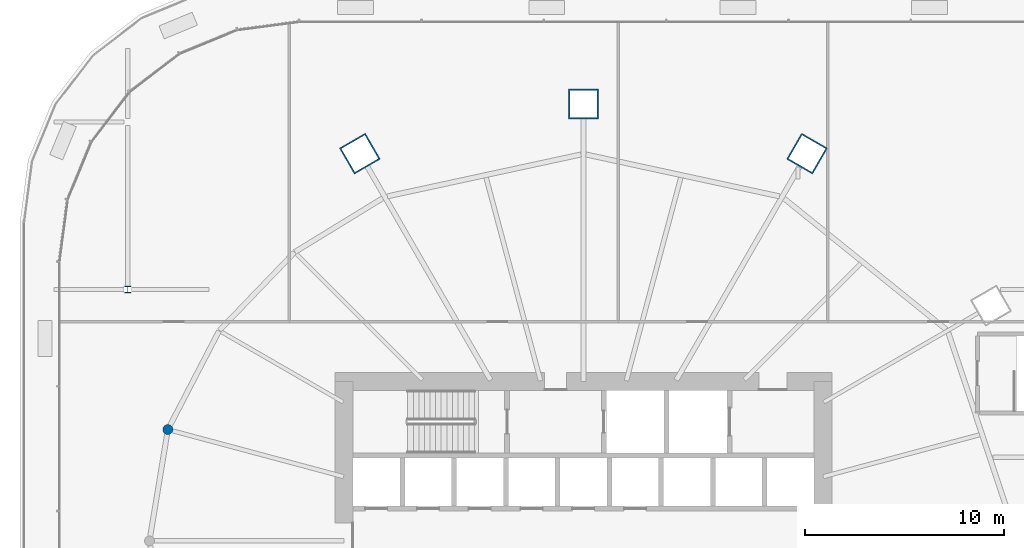
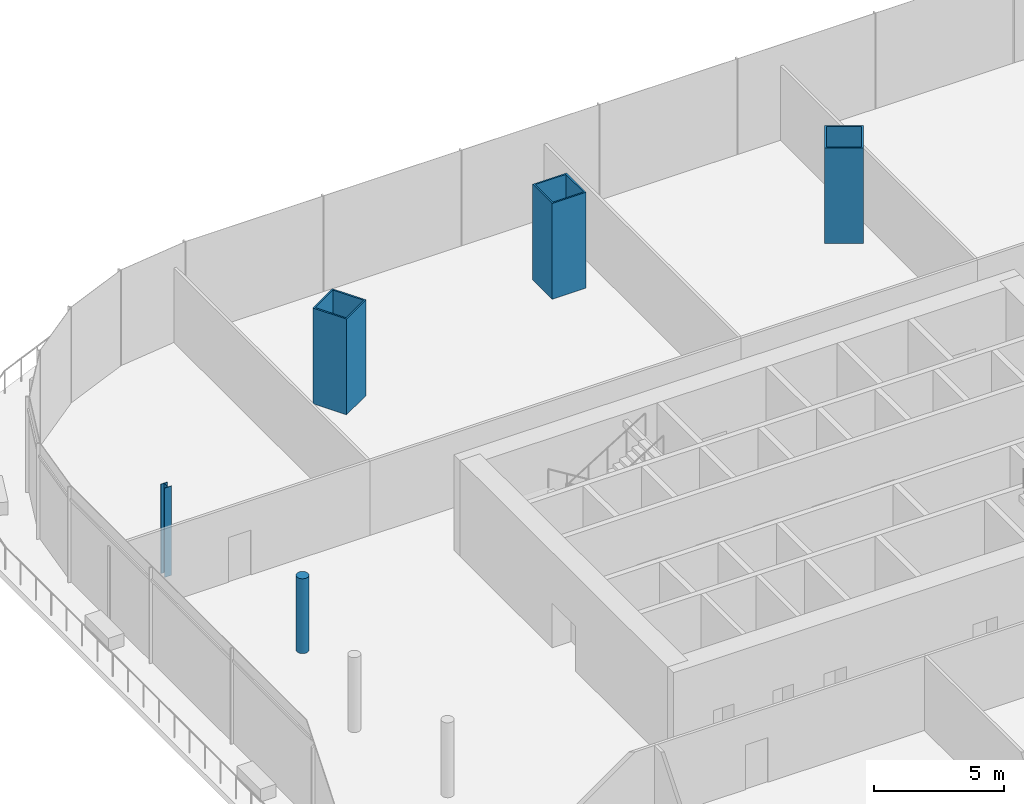
# One storey, part 3 of 49: 5 columns.
"""IFC4 building model written with IfcOpenShell, lengths in metres."""

from ifc_helpers import new_model, si_unit, direction, frame, origin, origin_2d, place, context, subcontext, project, spatial, hollow_rectangle, circle, i_section, extrude, material, material_profile, profile_set, type_object, element, save


model = new_model("IFC4")

# Units and contexts
model_context = context("Model", 3, precision=1e-05, world=origin(), true_north=direction((0.0, 1.0)))
body_context = subcontext(model_context, "Body", "Model", "MODEL_VIEW")
ifc_project = project(units=[si_unit("LENGTHUNIT", "METRE"), si_unit("AREAUNIT", "SQUARE_METRE"), si_unit("VOLUMEUNIT", "CUBIC_METRE"), si_unit("PLANEANGLEUNIT", "RADIAN"), si_unit("MASSUNIT", "GRAM", prefix="KILO")], contexts=[model_context])

# Site, building, storey
site_placement = place(None, origin())
site = spatial("IfcSite", under=ifc_project, at=site_placement, CompositionType="ELEMENT")
building_placement = place(site_placement, origin())
building = spatial("IfcBuilding", under=site, at=building_placement, Name="Rimbun Link Towers", CompositionType="ELEMENT")
storey_placement = place(building_placement, frame((0.0, 0.0, 25.5)))
storey = spatial("IfcBuildingStorey", under=building, at=storey_placement, Name="L05", CompositionType="ELEMENT", Elevation=25.5)

# Columns
ifc_material_1 = material(Name="Steel S460N", Category="steel")
ifc_material_profile_1 = material_profile(ifc_material_1, hollow_rectangle(XDim=1.5, YDim=1.5, WallThickness=0.070068359375, at=origin_2d()), Name="BOX 1500x1500x70")
ifc_profile_set_1 = profile_set([ifc_material_profile_1], Name="Steel S460N")
column_type_1 = type_object("IfcColumnType", Name="BOX 1500x1500x70", PredefinedType="COLUMN", material=ifc_profile_set_1)
for number, where, z_axis, x_axis, name in (
    (1, (-20.538818359375, 19.418212890625, 0.0), (0.0, 0.0, 1.0), (0.5, 0.866025403784, 0.0), "Mega column T1 L05 04"),
    (2, (-31.75, 21.904296875, 0.0), (0.0, 0.0, 1.0), (0.0, 1.0, 0.0), "Mega column T1 L05 06"),
    (3, (-42.961181640625, 19.418212890625, 0.0), (0.0, 0.0, 1.0), (-0.5, 0.866025403784, 0.0), "Mega column T1 L05 08"),
):
    element("IfcColumn", number, at=place(storey_placement, frame(where, z_axis=z_axis, x_axis=x_axis)), inside=storey, type_object=column_type_1, Name=name, PredefinedType="COLUMN", context=body_context, shape_type="SweptSolid", body=[
        extrude(hollow_rectangle(XDim=1.5, YDim=1.5, WallThickness=0.070068359375, at=origin_2d()), origin(), (0.0, 0.0, 1.0), 4.5),
    ])
ifc_material_2 = material(Name="Concrete C80/95", Category="concrete")
ifc_material_profile_2 = material_profile(ifc_material_2, circle(Radius=0.25, at=origin_2d()), Name="RC D500")
ifc_profile_set_2 = profile_set([ifc_material_profile_2], Name="Concrete C80/95")
column_type_2 = type_object("IfcColumnType", Name="RC D500", PredefinedType="COLUMN", material=ifc_profile_set_2)
column_1_placement = place(storey_placement, frame((-52.58642578125, 5.5830078125, 0.0), z_axis=(0.0, 0.0, 1.0), x_axis=(1.0, 0.0, 0.0)))
element("IfcColumn", 4, at=column_1_placement, inside=storey, type_object=column_type_2, Name="Recess post T1 L05 11", PredefinedType="COLUMN", context=body_context, shape_type="SweptSolid", body=[
    extrude(circle(Radius=0.25, at=origin_2d()), origin(), (0.0, 0.0, 1.0), 3.5166015625),
])
ifc_material_3 = material(Name="Steel S355J2", Category="steel")
ifc_material_profile_3 = material_profile(ifc_material_3, i_section(OverallWidth=0.307373046875, OverallDepth=0.314453125, WebThickness=0.011962890625, FlangeThickness=0.018798828125, at=origin_2d()), Name="UC 305x305x118")
ifc_profile_set_3 = profile_set([ifc_material_profile_3], Name="Steel S355J2")
column_type_3 = type_object("IfcColumnType", Name="UC 305x305x118", PredefinedType="COLUMN", material=ifc_profile_set_3)
column_2_placement = place(storey_placement, frame((-54.60009765625, 12.60009765625, 0.0), z_axis=(0.0, 0.0, 1.0), x_axis=(1.0, 0.0, 0.0)))
element("IfcColumn", 5, at=column_2_placement, inside=storey, type_object=column_type_3, Name="Column L05 -54.6 +12.6", PredefinedType="COLUMN", context=body_context, shape_type="SweptSolid", body=[
    extrude(i_section(OverallWidth=0.307373046875, OverallDepth=0.314453125, WebThickness=0.011962890625, FlangeThickness=0.018798828125, at=origin_2d()), origin(), (0.0, 0.0, 1.0), 4.199951171875),
])

save(model, "model.ifc")
